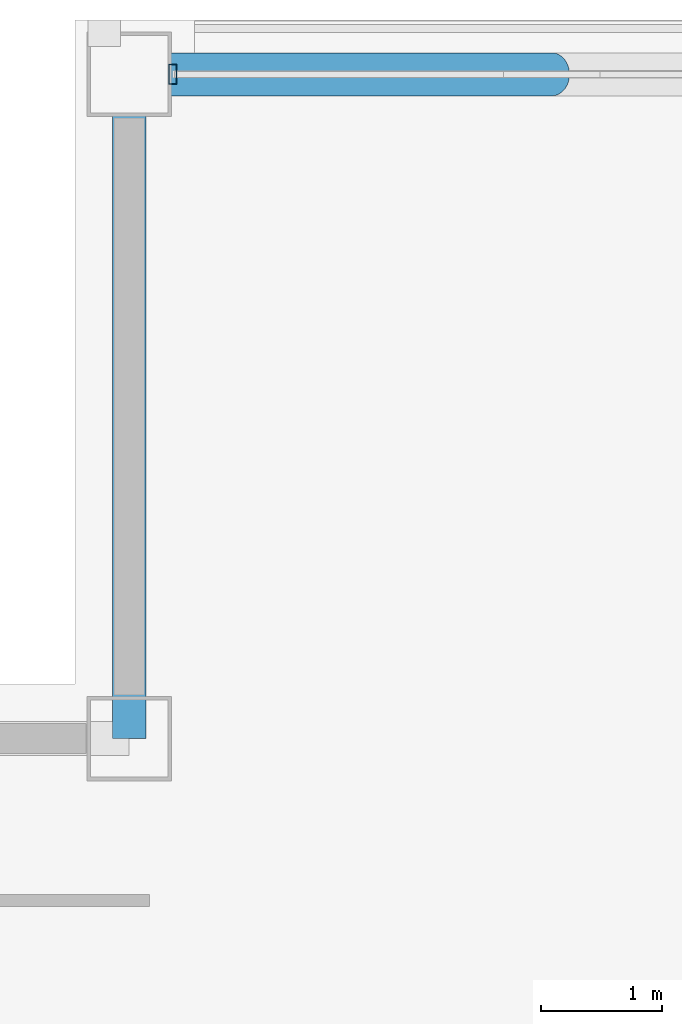
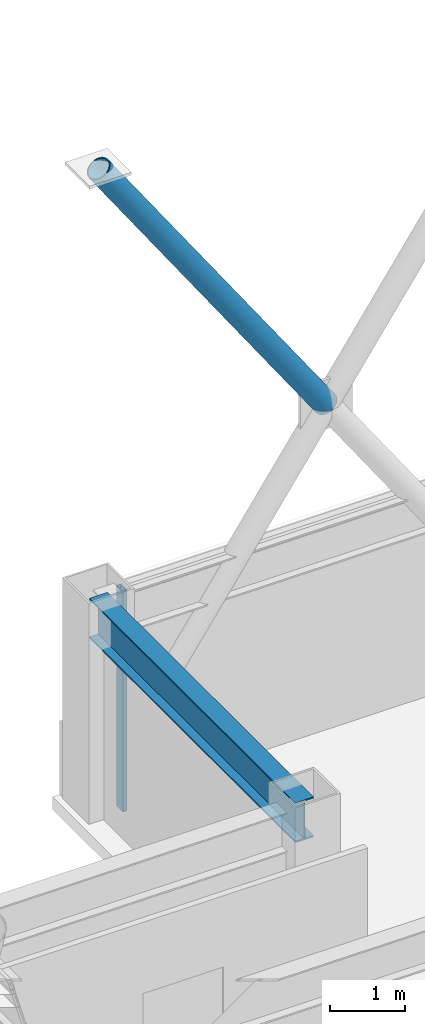
# One storey, part 21 of 33: 2 members, 1 beam, 1 element without a shape of its own.
"""IFC4 building model written with IfcOpenShell, lengths in metres."""

from ifc_helpers import new_model, si_unit, direction, frame, origin, origin_2d, place, context, subcontext, project, spatial, hollow_rectangle, hollow_circle, i_section, extrude, material, layer, layer_set, material_profile, profile_set, type_object, element, aggregate, save


model = new_model("IFC4")

# Units and contexts
model_context = context("Model", 3, precision=1e-05, world=origin(), true_north=direction((0.0, 1.0)))
body_context = subcontext(model_context, "Body", "Model", "MODEL_VIEW")
ifc_project = project(units=[si_unit("LENGTHUNIT", "METRE"), si_unit("AREAUNIT", "SQUARE_METRE"), si_unit("VOLUMEUNIT", "CUBIC_METRE"), si_unit("PLANEANGLEUNIT", "RADIAN"), si_unit("MASSUNIT", "GRAM", prefix="KILO")], contexts=[model_context])

# Site, building, storey
site_placement = place(None, origin())
site = spatial("IfcSite", under=ifc_project, at=site_placement, CompositionType="ELEMENT")
building_placement = place(site_placement, origin())
building = spatial("IfcBuilding", under=site, at=building_placement, Name="Brelmoor Portico Tower", CompositionType="ELEMENT")
storey_placement = place(building_placement, frame((0.0, 0.0, 183.89990234375)))
storey = spatial("IfcBuildingStorey", under=building, at=storey_placement, Name="L48", CompositionType="ELEMENT", Elevation=183.89990234375)

# Beam
ifc_material_1 = material(Name="Steel Q355B", Category="steel")
ifc_material_profile_1 = material_profile(ifc_material_1, i_section(OverallWidth=0.280029296875, OverallDepth=0.64990234375, WebThickness=0.012939453125, FlangeThickness=0.02197265625, at=origin_2d()), Name="HN 650x280x13x22")
ifc_profile_set_1 = profile_set([ifc_material_profile_1], Name="Steel Q355B")
beam_type = type_object("IfcBeamType", Name="BM-SP-650", PredefinedType="SPANDREL", material=ifc_profile_set_1)
beam_placement = place(storey_placement, frame((-15.050048828125, 13.050048828125, 3.0751953125), z_axis=(0.0, 1.0, 0.0), x_axis=(-1.0, 0.0, 0.0)))
element("IfcBeam", 1, at=beam_placement, inside=storey, type_object=beam_type, Name="L48 Perimeter Spandrel Beam SP-15", PredefinedType="SPANDREL", context=body_context, shape_type="SweptSolid", body=[
    extrude(i_section(OverallWidth=0.280029296875, OverallDepth=0.64990234375, WebThickness=0.012939453125, FlangeThickness=0.02197265625, at=origin_2d()), origin(), (0.0, 0.0, 1.0), 5.5),
])

# Member
ifc_material_profile_2 = material_profile(ifc_material_1, hollow_circle(Radius=0.177978515625, WallThickness=0.01611328125, at=origin_2d()), Name="CHS 356x16")
ifc_profile_set_2 = profile_set([ifc_material_profile_2], Name="Steel Q355B")
member_type_1 = type_object("IfcMemberType", Name="MB-BELT-DIAG2", PredefinedType="BRACE", material=ifc_profile_set_2)
member_1_placement = place(storey_placement, frame((-11.550048828125, 18.550048828125, 5.300048828125), z_axis=(-0.569629338867, 0.0, 0.821901707203), x_axis=(0.0, -1.0, 0.0)))
element("IfcMember", 2, at=member_1_placement, inside=storey, type_object=member_type_1, Name="L48 Split Mega-X Brace 108B2", PredefinedType="BRACE", context=body_context, shape_type="SweptSolid", body=[
    extrude(hollow_circle(Radius=0.177978515625, WallThickness=0.01611328125, at=origin_2d()), origin(), (0.0, 0.0, 1.0), 6.144287109375),
])

# Curtain wall, member
ifc_material_2 = material(Name="Anodised Aluminium Alloy 6063-T6", Category="aluminium")
ifc_layer = layer(ifc_material_2, 0.179931640625)
ifc_layer_set = layer_set([ifc_layer], Name="Anodised Aluminium Alloy 6063-T6")
curtain_wall_type = type_object("IfcCurtainWallType", Name="CW-TOWER-Z3-XB", PredefinedType="NOTDEFINED", material=ifc_layer_set)
curtain_wall_placement = place(storey_placement, origin())
curtain_wall = element("IfcCurtainWall", 3, at=curtain_wall_placement, inside=storey, type_object=curtain_wall_type, Name="L48 Curtain Wall CW-L48-02-1", PredefinedType="NOTDEFINED")
ifc_material_profile_3 = material_profile(ifc_material_2, hollow_rectangle(XDim=0.06494140625, YDim=0.1650390625, WallThickness=0.00390625, at=origin_2d()), Name="ALU MULLION 65x165")
ifc_profile_set_3 = profile_set([ifc_material_profile_3], Name="Anodised Aluminium Alloy 6063-T6")
member_type_2 = type_object("IfcMemberType", Name="MB-CW-MULL-165", PredefinedType="MULLION", material=ifc_profile_set_3)
member_2_placement = place(storey_placement, frame((-14.68994140625, 18.550048828125, -0.199951171875), z_axis=(0.0, 0.0, 1.0), x_axis=(1.0, 0.0, 0.0)))
member_2 = element("IfcMember", 4, at=member_2_placement, type_object=member_type_2, Name="CW-L48-02-1 Mullion 00", PredefinedType="MULLION", context=body_context, shape_type="SweptSolid", body=[
    extrude(hollow_rectangle(XDim=0.06494140625, YDim=0.1650390625, WallThickness=0.00390625, at=origin_2d()), origin(), (0.0, 0.0, 1.0), 3.60009765625),
])
aggregate(curtain_wall, [member_2])

save(model, "model.ifc")
